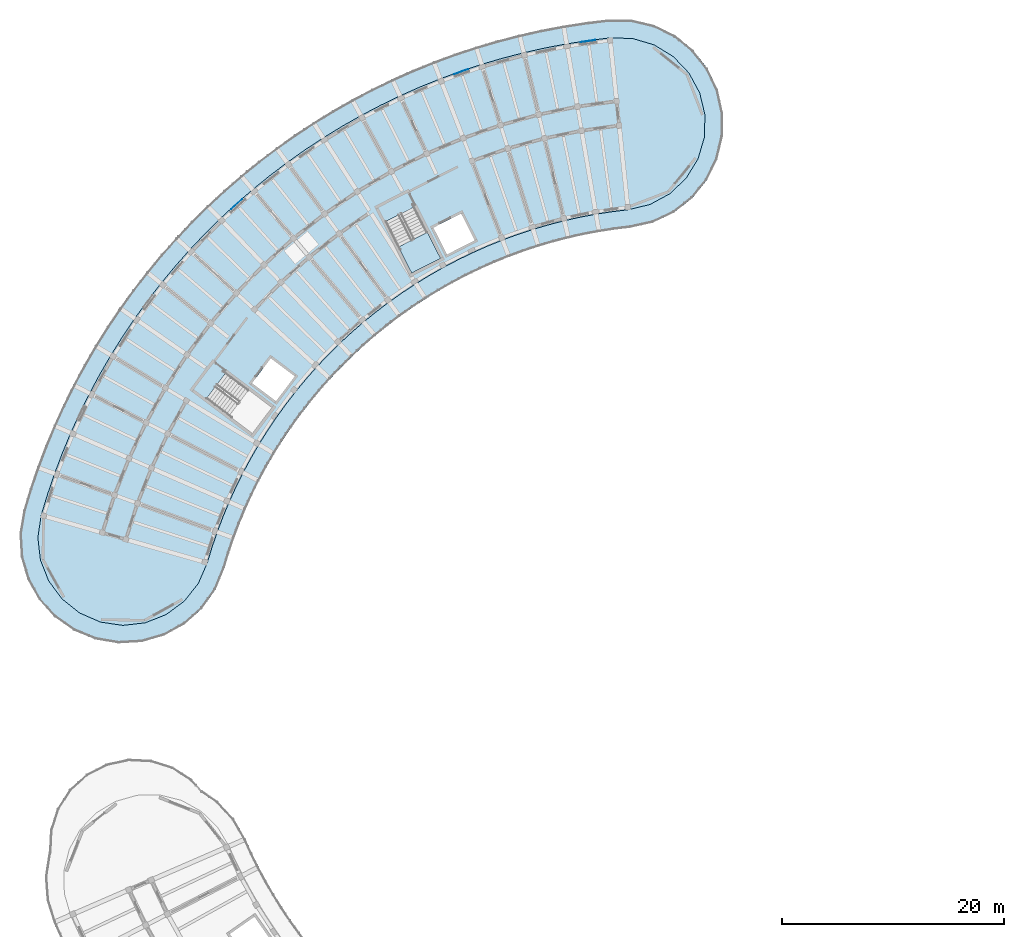
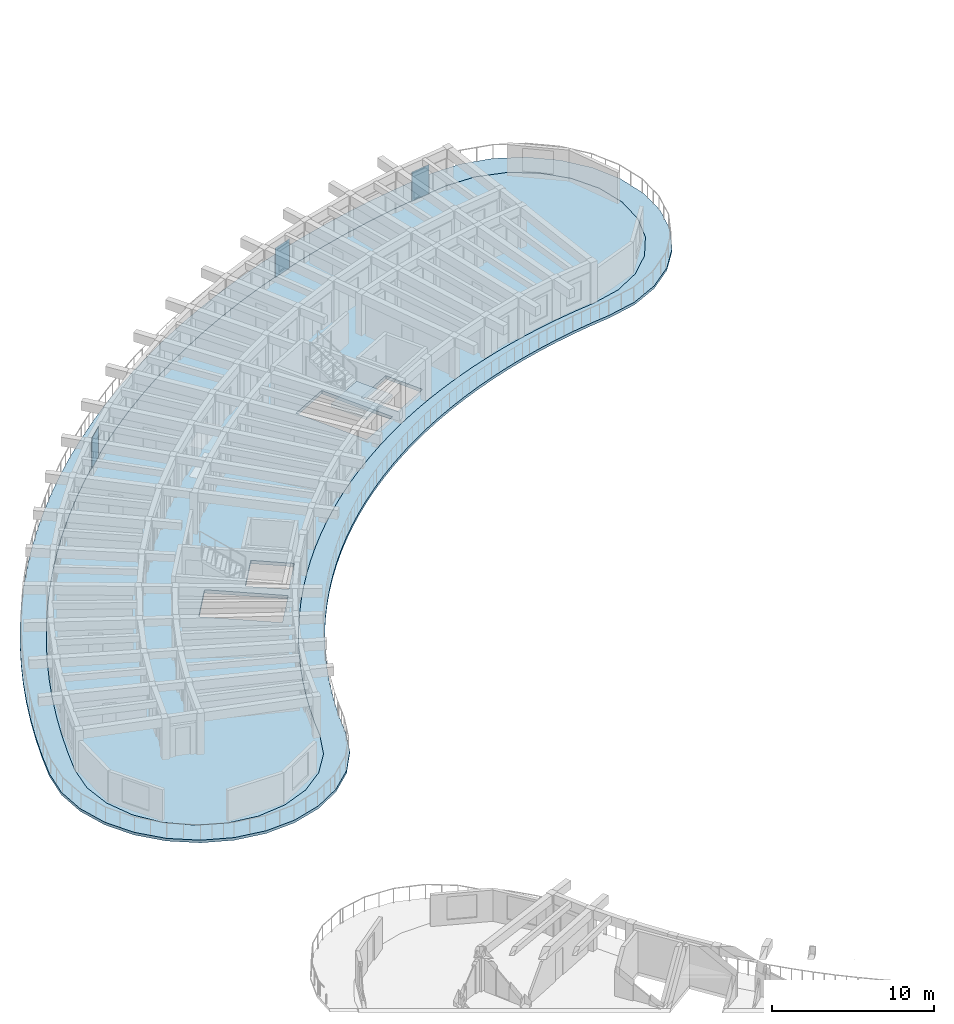
# One storey, part 18 of 56: 3 plates, 3 slabs, 1 element without a shape of its own.
"""IFC4 building model written with IfcOpenShell, lengths in metres."""

from ifc_helpers import new_model, si_unit, direction, frame, origin, origin_2d, place, context, subcontext, project, spatial, polyline, rectangle, outline, extrude, material, layer, layer_set, type_object, element, aggregate, save


model = new_model("IFC4")

# Units and contexts
model_context = context("Model", 3, precision=1e-05, world=origin(), true_north=direction((0.0, 1.0)))
body_context = subcontext(model_context, "Body", "Model", "MODEL_VIEW")
ifc_project = project(units=[si_unit("LENGTHUNIT", "METRE"), si_unit("AREAUNIT", "SQUARE_METRE"), si_unit("VOLUMEUNIT", "CUBIC_METRE"), si_unit("PLANEANGLEUNIT", "RADIAN"), si_unit("MASSUNIT", "GRAM", prefix="KILO")], contexts=[model_context])

# Site, building, storey
site_placement = place(None, origin())
site = spatial("IfcSite", under=ifc_project, at=site_placement, CompositionType="ELEMENT")
building_placement = place(site_placement, origin())
building = spatial("IfcBuilding", under=site, at=building_placement, Name="Tanwirah Colonnade Gardens", CompositionType="ELEMENT")
storey_placement = place(building_placement, frame((0.0, 0.0, 29.0)))
storey = spatial("IfcBuildingStorey", under=building, at=storey_placement, Name="L08", CompositionType="ELEMENT", Elevation=29.0)

# Plates
ifc_material_1 = material(Name="Laser-cut bronze aluminium solar screen plate", Category="aluminium")
ifc_layer_1 = layer(ifc_material_1, 0.01611328125)
ifc_layer_set_1 = layer_set([ifc_layer_1], Name="Laser-cut bronze aluminium solar screen plate")
plate_type = type_object("IfcPlateType", Name="PLT-SCR16", PredefinedType="SHEET", material=ifc_layer_set_1)
plate_1_placement = place(storey_placement, frame((56.77392578125, 119.365966796875, 0.0), z_axis=(0.0, 0.0, 1.0), x_axis=(-0.990536083953, -0.137252564226, 0.0)))
element("IfcPlate", 1, at=plate_1_placement, inside=storey, type_object=plate_type, Name="Perforated solar screen plate A-L08-00", PredefinedType="SHEET", context=body_context, shape_type="SweptSolid", body=[
    extrude(rectangle(XDim=1.35009765625, YDim=0.01611328125, at=origin_2d()), origin(), (0.0, 0.0, 1.0), 2.199951171875),
])
plate_2_placement = place(storey_placement, frame((45.359130859375, 116.61376953125, 0.0), z_axis=(0.0, 0.0, 1.0), x_axis=(-0.944249133311, -0.329231794092, 0.0)))
element("IfcPlate", 2, at=plate_2_placement, inside=storey, type_object=plate_type, Name="Perforated solar screen plate A-L08-03", PredefinedType="SHEET", context=body_context, shape_type="SweptSolid", body=[
    extrude(rectangle(XDim=1.35009765625, YDim=0.01611328125, at=origin_2d()), origin(), (0.0, 0.0, 1.0), 2.2099609375),
])
plate_3_placement = place(storey_placement, frame((25.135986328125, 104.687744140625, 0.0), z_axis=(0.0, 0.0, 1.0), x_axis=(-0.744439844011, -0.667689537621, 0.0)))
element("IfcPlate", 3, at=plate_3_placement, inside=storey, type_object=plate_type, Name="Perforated solar screen plate A-L08-09", PredefinedType="SHEET", context=body_context, shape_type="SweptSolid", body=[
    extrude(rectangle(XDim=1.35009765625, YDim=0.01611328125, at=origin_2d()), origin(), (0.0, 0.0, 1.0), 2.284912109375),
])

# Slab
ifc_material_2 = material(Name="White architectural precast concrete C40/50", Category="concrete")
ifc_layer_2 = layer(ifc_material_2, 0.199951171875)
ifc_layer_set_2 = layer_set([ifc_layer_2], Name="White architectural precast concrete C40/50")
slab_type_1 = type_object("IfcSlabType", Name="SL-BAL-200", PredefinedType="FLOOR", material=ifc_layer_set_2)
slab_1_placement = place(storey_placement, frame((0.0, 0.0, -0.199951171875)))
element("IfcSlab", 4, at=slab_1_placement, inside=storey, type_object=slab_type_1, Name="Block A L08 Continuous White Balcony Ribbon", PredefinedType="FLOOR", context=body_context, shape_type="SweptSolid", body=[
    extrude(outline(polyline([(62.602783203125, 103.019775390625), (64.505859375, 103.918701171875), (66.161376953125, 105.21875), (67.486083984375, 106.854736328125), (68.41357421875, 108.744140625), (68.897216796875, 110.792724609375), (68.9130859375, 112.897705078125), (68.4599609375, 114.953369140625), (67.560791015625, 116.8564453125), (66.2607421875, 118.511962890625), (64.625, 119.836669921875), (62.7353515625, 120.76416015625), (60.686767578125, 121.247802734375), (58.58203125, 121.263671875), (56.57275390625, 121.018798828125), (54.572509765625, 120.7080078125), (52.583740234375, 120.33154296875), (50.608642578125, 119.8896484375), (48.64892578125, 119.3828125), (46.70703125, 118.811767578125), (44.78515625, 118.1767578125), (42.885009765625, 117.47900390625), (41.009033203125, 116.718994140625), (39.1591796875, 115.8974609375), (37.33740234375, 115.015380859375), (35.545654296875, 114.073974609375), (33.785888671875, 113.07373046875), (32.06005859375, 112.01611328125), (30.3701171875, 110.90234375), (28.717529296875, 109.7333984375), (27.104736328125, 108.510498046875), (25.532958984375, 107.235107421875), (24.00390625, 105.90869140625), (22.51953125, 104.532470703125), (21.08154296875, 103.108154296875), (19.69091796875, 101.63720703125), (18.349853515625, 100.121337890625), (17.059326171875, 98.56201171875), (15.82080078125, 96.9609375), (14.6357421875, 95.320068359375), (13.505615234375, 93.640869140625), (12.431396484375, 91.92529296875), (11.414306640625, 90.17529296875), (10.455322265625, 88.392822265625), (9.5556640625, 86.57958984375), (8.71630859375, 84.73779296875), (7.93798828125, 82.869140625), (7.221923828125, 80.97607421875), (6.568359375, 79.060302734375), (5.978515625, 77.1240234375), (5.62841796875, 75.048583984375), (5.749267578125, 72.947021484375), (6.33447265625, 70.925048828125), (7.35498046875, 69.083984375), (8.759521484375, 67.516357421875), (10.477783203125, 66.30029296875), (12.42333984375, 65.497314453125), (14.4990234375, 65.147216796875), (16.6005859375, 65.267822265625), (18.62255859375, 65.853271484375), (20.46337890625, 66.873779296875), (22.03125, 68.2783203125), (23.2470703125, 69.996337890625), (24.05029296875, 71.942138671875), (24.45947265625, 73.28564453125), (24.912841796875, 74.61474609375), (25.409912109375, 75.92822265625), (25.94970703125, 77.224609375), (26.531982421875, 78.50244140625), (27.15625, 79.760498046875), (27.821533203125, 80.997314453125), (28.52734375, 82.21142578125), (29.272705078125, 83.401611328125), (30.056884765625, 84.566650390625), (30.87890625, 85.705078125), (31.73828125, 86.81591796875), (32.633544921875, 87.89794921875), (33.564208984375, 88.94970703125), (34.52880859375, 89.97021484375), (35.526611328125, 90.95849609375), (36.556396484375, 91.9130859375), (37.6171875, 92.83349609375), (38.707763671875, 93.71826171875), (39.826904296875, 94.566650390625), (40.973388671875, 95.3779296875), (42.14599609375, 96.150634765625), (43.34326171875, 96.884521484375), (44.564208984375, 97.578369140625), (45.807373046875, 98.231689453125), (47.0712890625, 98.843505859375), (48.354736328125, 99.41357421875), (49.656494140625, 99.94091796875), (50.974609375, 100.425048828125), (52.30810546875, 100.865478515625), (53.655517578125, 101.26171875), (55.01513671875, 101.61328125), (56.385498046875, 101.919921875), (57.765380859375, 102.18115234375), (59.153076171875, 102.396728515625), (60.547119140625, 102.566650390625), (62.602783203125, 103.019775390625)]), holes=[polyline([(62.3525390625, 104.652099609375), (60.376220703125, 104.177490234375), (58.930908203125, 104.00146484375), (58.930419921875, 104.00146484375), (57.490478515625, 103.777587890625), (57.489990234375, 103.777587890625), (56.058349609375, 103.506591796875), (56.0576171875, 103.50634765625), (54.6357421875, 103.188232421875), (54.635009765625, 103.18798828125), (53.224365234375, 102.8232421875), (53.2236328125, 102.822998046875), (51.825927734375, 102.411865234375), (51.8251953125, 102.411865234375), (50.441650390625, 101.954833984375), (50.44091796875, 101.95458984375), (49.0732421875, 101.4521484375), (49.07275390625, 101.451904296875), (47.72216796875, 100.90478515625), (47.7216796875, 100.904541015625), (46.389892578125, 100.313232421875), (46.38916015625, 100.31298828125), (45.077880859375, 99.677978515625), (45.0771484375, 99.677734375), (43.787353515625, 99.0), (43.786865234375, 98.99951171875), (42.52001953125, 98.279541015625), (42.51953125, 98.279296875), (41.277099609375, 97.51806640625), (41.276611328125, 97.517578125), (40.059814453125, 96.7158203125), (40.059326171875, 96.71533203125), (38.869873046875, 95.873779296875), (38.869384765625, 95.87353515625), (37.708251953125, 94.9931640625), (37.707763671875, 94.99267578125), (36.576171875, 94.07470703125), (36.57568359375, 94.07421875), (35.47509765625, 93.119384765625), (35.474609375, 93.118896484375), (34.406005859375, 92.12841796875), (34.405517578125, 92.1279296875), (33.370361328125, 91.1025390625), (33.369873046875, 91.10205078125), (32.368896484375, 90.043212890625), (32.368408203125, 90.042724609375), (31.40283203125, 88.951416015625), (31.402587890625, 88.950927734375), (30.473388671875, 87.828369140625), (30.47314453125, 87.827880859375), (29.58154296875, 86.67529296875), (29.581298828125, 86.6748046875), (28.728271484375, 85.493408203125), (28.727783203125, 85.492919921875), (27.9140625, 84.2841796875), (27.913818359375, 84.28369140625), (27.140380859375, 83.048828125), (27.14013671875, 83.048095703125), (26.407958984375, 81.788330078125), (26.40771484375, 81.787841796875), (25.71728515625, 80.504638671875), (25.717041015625, 80.504150390625), (25.0693359375, 79.19873046875), (25.069091796875, 79.1982421875), (24.46484375, 77.872314453125), (24.464599609375, 77.87158203125), (23.904296875, 76.526611328125), (23.904052734375, 76.52587890625), (23.388671875, 75.1630859375), (23.388427734375, 75.16259765625), (22.91796875, 73.783447265625), (22.917724609375, 73.78271484375), (22.493408203125, 72.39013671875), (21.68310546875, 70.526123046875), (20.418701171875, 68.936767578125), (18.7861328125, 67.728759765625), (16.896484375, 66.984375), (14.878662109375, 66.75439453125), (12.869873046875, 67.0546875), (11.007568359375, 67.864501953125), (9.41796875, 69.12890625), (8.2099609375, 70.761474609375), (7.465576171875, 72.651123046875), (7.23583984375, 74.6689453125), (7.5361328125, 76.6787109375), (8.110107421875, 78.562744140625), (8.746337890625, 80.427978515625), (9.443603515625, 82.271240234375), (10.201171875, 84.09033203125), (11.0185546875, 85.883544921875), (11.89453125, 87.64892578125), (12.828125, 89.384521484375), (13.818359375, 91.08837890625), (14.8642578125, 92.758544921875), (15.964599609375, 94.393310546875), (17.118408203125, 95.990966796875), (18.32421875, 97.5498046875), (19.58056640625, 99.068115234375), (20.886474609375, 100.5439453125), (22.240234375, 101.97607421875), (23.640380859375, 103.36279296875), (25.085693359375, 104.70263671875), (26.57421875, 105.994140625), (28.1044921875, 107.23583984375), (29.6748046875, 108.42626953125), (31.28369140625, 109.564453125), (32.92919921875, 110.649169921875), (34.609375, 111.6787109375), (36.32275390625, 112.652587890625), (38.067138671875, 113.5693359375), (39.841064453125, 114.427978515625), (41.64208984375, 115.227783203125), (43.468505859375, 115.9677734375), (45.318359375, 116.647216796875), (47.189697265625, 117.26513671875), (49.080322265625, 117.8212890625), (50.98828125, 118.314697265625), (52.911376953125, 118.744873046875), (54.84765625, 119.111572265625), (56.795166015625, 119.414306640625), (58.750244140625, 119.65234375), (60.781494140625, 119.59912109375), (62.728759765625, 119.0224609375), (64.46044921875, 117.961181640625), (65.858642578125, 116.488037109375), (66.82763671875, 114.703125), (67.3017578125, 112.728271484375), (67.24853515625, 110.697998046875), (66.671630859375, 108.750732421875), (65.610595703125, 107.01904296875), (64.137451171875, 105.62109375), (62.3525390625, 104.652099609375)])]), origin(), (0.0, 0.0, 1.0), 0.199951171875),
])

# Stair, slab
ifc_material_3 = material(Name="Precast concrete C40/50", Category="concrete")
stair_type = type_object("IfcStairType", Name="ST-RES168", PredefinedType="HALF_TURN_STAIR", material=ifc_material_3)
stair_placement = place(storey_placement, origin())
stair = element("IfcStair", 5, at=stair_placement, inside=storey, type_object=stair_type, Name="L08 Block A Core 1 Exit Stair", PredefinedType="HALF_TURN_STAIR")
ifc_layer_3 = layer(ifc_material_3, 0.205078125)
ifc_layer_set_3 = layer_set([ifc_layer_3], Name="Precast concrete C40/50")
slab_type_2 = type_object("IfcSlabType", Name="SL-LND-205", PredefinedType="LANDING", material=ifc_layer_set_3)
slab_2_placement = place(storey_placement, frame((0.0, 0.0, 1.47509765625)))
slab_2 = element("IfcSlab", 6, at=slab_2_placement, type_object=slab_type_2, Name="ST-A1 landing 1", PredefinedType="LANDING", context=body_context, shape_type="SweptSolid", body=[
    extrude(outline(polyline([(39.6982421875, 100.826171875), (40.89453125, 98.478515625), (43.496337890625, 99.80419921875), (42.300048828125, 102.15185546875), (39.6982421875, 100.826171875)])), origin(), (0.0, 0.0, 1.0), 0.204833984375),
])
aggregate(stair, [slab_2])

# Slab
ifc_layer_4 = layer(ifc_material_3, 0.25)
ifc_layer_set_4 = layer_set([ifc_layer_4], Name="Precast concrete C40/50")
slab_type_3 = type_object("IfcSlabType", Name="SL-RES-250", PredefinedType="FLOOR", material=ifc_layer_set_4)
slab_3_placement = place(storey_placement, frame((0.0, 0.0, -0.25)))
element("IfcSlab", 7, at=slab_3_placement, inside=storey, type_object=slab_type_3, Name="Block A L08 Precast Composite Floor Slab", PredefinedType="FLOOR", context=body_context, shape_type="SweptSolid", body=[
    extrude(outline(polyline([(57.49365234375, 103.758056640625), (58.933349609375, 103.981689453125), (60.3798828125, 104.157958984375), (62.35986328125, 104.63330078125), (64.149169921875, 105.604736328125), (65.626220703125, 107.00634765625), (66.690185546875, 108.74267578125), (67.2685546875, 110.695068359375), (67.32177734375, 112.73046875), (66.846435546875, 114.71044921875), (65.874755859375, 116.499755859375), (64.47314453125, 117.976806640625), (62.737060546875, 119.040771484375), (60.78466796875, 119.619140625), (58.749267578125, 119.67236328125), (56.792236328125, 119.43408203125), (54.84423828125, 119.13134765625), (52.907470703125, 118.7646484375), (50.983642578125, 118.334228515625), (49.074951171875, 117.840576171875), (47.183837890625, 117.284423828125), (45.311767578125, 116.666015625), (43.46142578125, 115.986328125), (41.63427734375, 115.24609375), (39.83251953125, 114.446044921875), (38.05810546875, 113.587158203125), (36.313232421875, 112.669921875), (34.599365234375, 111.696044921875), (32.91845703125, 110.666015625), (31.2724609375, 109.5810546875), (29.6630859375, 108.442626953125), (28.092041015625, 107.25146484375), (26.561279296875, 106.009521484375), (25.072265625, 104.717529296875), (23.62646484375, 103.377197265625), (22.225830078125, 101.990234375), (20.87158203125, 100.5576171875), (19.5654296875, 99.0810546875), (18.30859375, 97.562255859375), (17.102294921875, 96.0029296875), (15.9482421875, 94.40478515625), (14.847412109375, 92.76953125), (13.80126953125, 91.0986328125), (12.810546875, 89.394287109375), (11.876708984375, 87.658203125), (11.00048828125, 85.892333984375), (10.182861328125, 84.098388671875), (9.425048828125, 82.278564453125), (8.7275390625, 80.434814453125), (8.091064453125, 78.56884765625), (7.5166015625, 76.68310546875), (7.215576171875, 74.669189453125), (7.446044921875, 72.646240234375), (8.1923828125, 70.751708984375), (9.403564453125, 69.11474609375), (10.9970703125, 67.84716796875), (12.864501953125, 67.035400390625), (14.878173828125, 66.734375), (16.9013671875, 66.96484375), (18.7958984375, 67.711181640625), (20.4326171875, 68.92236328125), (21.7001953125, 70.515869140625), (22.51220703125, 72.383056640625), (22.93701171875, 73.777099609375), (23.4072265625, 75.156005859375), (23.9228515625, 76.518798828125), (24.483154296875, 77.864013671875), (25.08740234375, 79.18994140625), (25.73486328125, 80.4951171875), (26.42529296875, 81.7783203125), (27.157470703125, 83.0380859375), (27.9306640625, 84.27294921875), (28.744384765625, 85.48193359375), (29.597412109375, 86.6630859375), (30.489013671875, 87.815673828125), (31.41796875, 88.938232421875), (32.38330078125, 90.029541015625), (33.38427734375, 91.08837890625), (34.419677734375, 92.11376953125), (35.48828125, 93.104248046875), (36.5888671875, 94.05908203125), (37.72021484375, 94.977294921875), (38.88134765625, 95.857421875), (40.07080078125, 96.698974609375), (41.28759765625, 97.5009765625), (42.52978515625, 98.26220703125), (43.796630859375, 98.982177734375), (45.08642578125, 99.659912109375), (46.39794921875, 100.294921875), (47.729736328125, 100.88623046875), (49.080078125, 101.433349609375), (50.447998046875, 101.935791015625), (51.83154296875, 102.392822265625), (53.229248046875, 102.803955078125), (54.64013671875, 103.168701171875), (56.06201171875, 103.48681640625), (57.49365234375, 103.758056640625)]), holes=[polyline([(41.13427734375, 104.433349609375), (43.49365234375, 99.802734375), (40.897216796875, 98.479736328125), (38.537841796875, 103.1103515625), (41.13427734375, 104.433349609375)]), polyline([(46.574462890625, 101.428466796875), (44.07958984375, 100.157470703125), (42.853759765625, 102.563232421875), (45.3486328125, 103.834228515625), (46.574462890625, 101.428466796875)]), polyline([(26.555908203125, 84.039794921875), (22.4052734375, 87.16748046875), (24.158935546875, 89.49462890625), (28.3095703125, 86.366943359375), (26.555908203125, 84.039794921875)]), polyline([(26.5244140625, 88.5673828125), (28.20947265625, 90.8037109375), (30.36572265625, 89.1787109375), (28.6806640625, 86.942626953125), (26.5244140625, 88.5673828125)])]), origin(), (0.0, 0.0, 1.0), 0.25),
])

save(model, "model.ifc")
